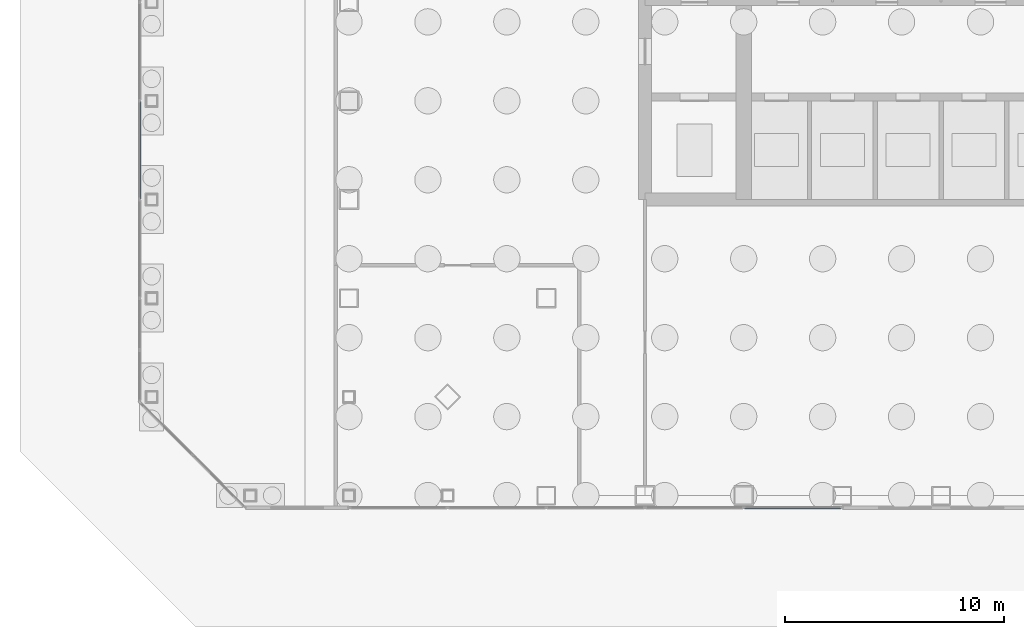
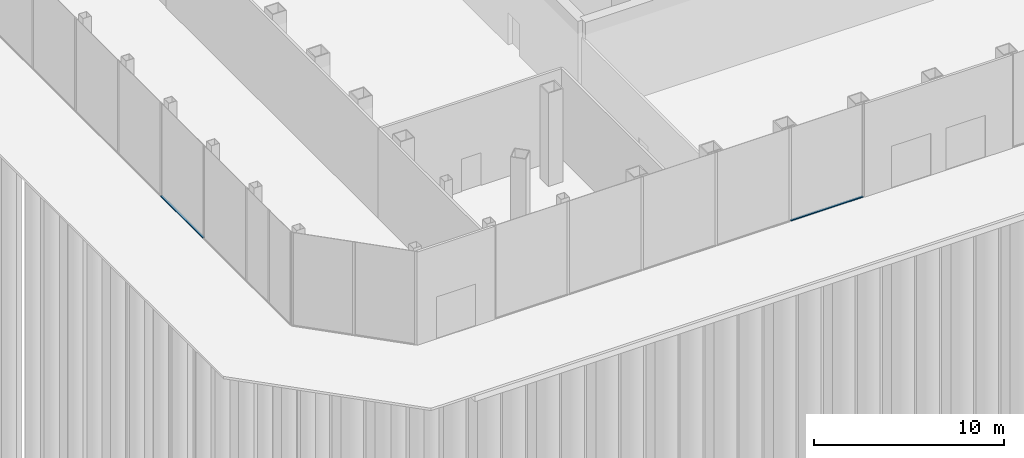
# One storey, part 7 of 24: 2 members, 2 elements without a shape of their own.
"""IFC4 building model written with IfcOpenShell, lengths in metres."""

from ifc_helpers import new_model, si_unit, direction, frame, origin, origin_2d, place, context, subcontext, project, spatial, rectangle, extrude, material, material_profile, profile_set, type_object, element, aggregate, save


model = new_model("IFC4")

# Units and contexts
model_context = context("Model", 3, precision=1e-05, world=origin(), true_north=direction((0.0, 1.0)))
body_context = subcontext(model_context, "Body", "Model", "MODEL_VIEW")
ifc_project = project(units=[si_unit("LENGTHUNIT", "METRE"), si_unit("AREAUNIT", "SQUARE_METRE"), si_unit("VOLUMEUNIT", "CUBIC_METRE"), si_unit("PLANEANGLEUNIT", "RADIAN"), si_unit("MASSUNIT", "GRAM", prefix="KILO")], contexts=[model_context])

# Site, building, storey
site_placement = place(None, origin())
site = spatial("IfcSite", under=ifc_project, at=site_placement, CompositionType="ELEMENT")
building_placement = place(site_placement, origin())
building = spatial("IfcBuilding", under=site, at=building_placement, Name="Corais Broadcast Tower", CompositionType="ELEMENT")
storey_placement = place(building_placement, origin())
storey = spatial("IfcBuildingStorey", under=building, at=storey_placement, Name="L00", CompositionType="ELEMENT", Elevation=0.0)

# Curtain wall, member
ifc_material_1 = material(Name="Aluminium and glass", Category="aluminium")
curtain_wall_type = type_object("IfcCurtainWallType", Name="Storefront curtain wall CW5", PredefinedType="NOTDEFINED", material=ifc_material_1)
curtain_wall_1_placement = place(storey_placement, origin())
curtain_wall_1 = element("IfcCurtainWall", 1, at=curtain_wall_1_placement, inside=storey, type_object=curtain_wall_type, Name="CW5 curtain wall L00 2", PredefinedType="NOTDEFINED")
ifc_material_2 = material(Name="Aluminium 6063-T6", Category="aluminium")
ifc_material_profile = material_profile(ifc_material_2, rectangle(XDim=0.1201171875, YDim=0.06005859375, at=origin_2d()), Name="Transom CW5 60x120")
ifc_profile_set = profile_set([ifc_material_profile], Name="Aluminium 6063-T6")
member_type = type_object("IfcMemberType", Name="Transom CW5 60x120", PredefinedType="USERDEFINED", material=ifc_profile_set)
member_1_placement = place(storey_placement, frame((-9.550048828125, 13.530029296875, 0.030029296875), z_axis=(0.0, 1.0, 0.0), x_axis=(-1.0, 0.0, 0.0)))
member_1 = element("IfcMember", 2, at=member_1_placement, type_object=member_type, Name="CW5 transom 4.1", ObjectType="TRANSOM", PredefinedType="USERDEFINED", context=body_context, shape_type="SweptSolid", body=[
    extrude(rectangle(XDim=0.1201171875, YDim=0.06005859375, at=origin_2d()), origin(), (0.0, 0.0, 1.0), 4.43994140625),
])
aggregate(curtain_wall_1, [member_1])

curtain_wall_2_placement = place(storey_placement, origin())
curtain_wall_2 = element("IfcCurtainWall", 3, at=curtain_wall_2_placement, inside=storey, type_object=curtain_wall_type, Name="CW5 curtain wall L00 8", PredefinedType="NOTDEFINED")
member_2_placement = place(storey_placement, frame((22.43994140625, -0.550048828125, 0.030029296875), z_axis=(-1.0, 0.0, 0.0), x_axis=(0.0, -1.0, 0.0)))
member_2 = element("IfcMember", 4, at=member_2_placement, type_object=member_type, Name="CW5 transom 1.1", ObjectType="TRANSOM", PredefinedType="USERDEFINED", context=body_context, shape_type="SweptSolid", body=[
    extrude(rectangle(XDim=0.1201171875, YDim=0.06005859375, at=origin_2d()), origin(), (0.0, 0.0, 1.0), 4.409912109375),
])
aggregate(curtain_wall_2, [member_2])

save(model, "model.ifc")
